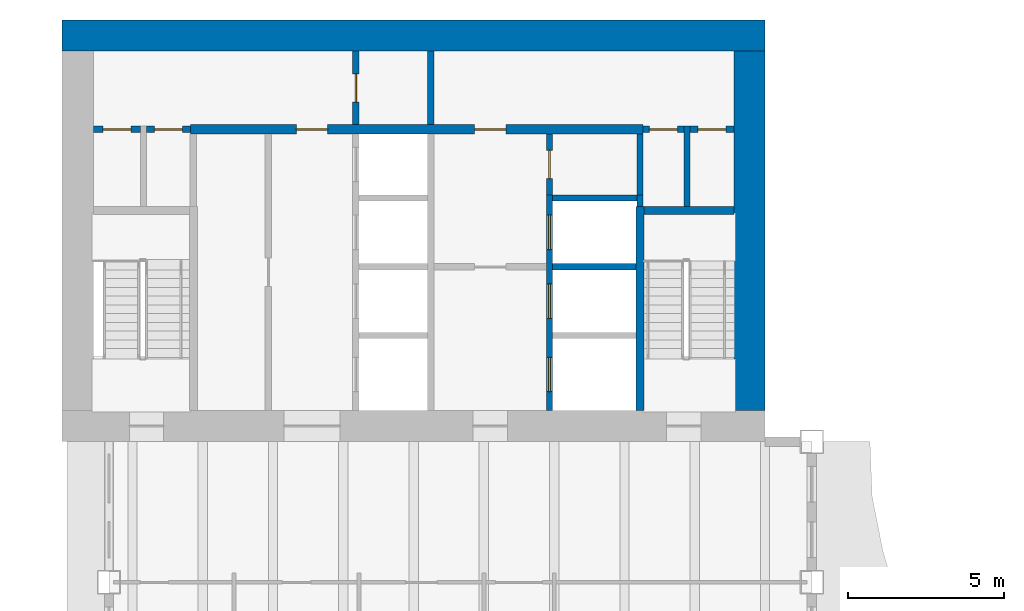
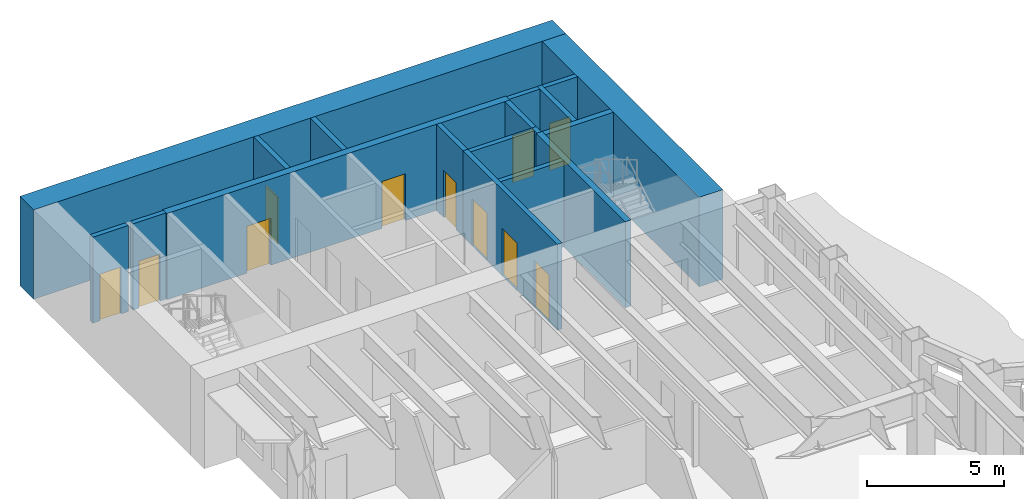
# One storey, part 9 of 16: 18 walls, 11 doors, 11 openings.
"""IFC4 building model written with IfcOpenShell, lengths in metres."""

from ifc_helpers import new_model, si_unit, direction, frame, frame_2d, origin, place, context, subcontext, project, spatial, rectangle, extrude, material, layer, layer_set, type_object, element, fill, save


model = new_model("IFC4")

# Units and contexts
model_context = context("Model", 3, precision=1e-05, world=origin(), true_north=direction((0.0, 1.0)))
body_context = subcontext(model_context, "Body", "Model", "MODEL_VIEW")
ifc_project = project(units=[si_unit("LENGTHUNIT", "METRE"), si_unit("AREAUNIT", "SQUARE_METRE"), si_unit("VOLUMEUNIT", "CUBIC_METRE"), si_unit("PLANEANGLEUNIT", "RADIAN"), si_unit("MASSUNIT", "GRAM", prefix="KILO")], contexts=[model_context])

# Site, building, storey
site_placement = place(None, origin())
site = spatial("IfcSite", under=ifc_project, at=site_placement, CompositionType="ELEMENT")
building_placement = place(site_placement, origin())
building = spatial("IfcBuilding", under=site, at=building_placement, Name="Sennacour Bend Tower", CompositionType="ELEMENT")
storey_placement = place(building_placement, frame((0.0, 0.0, 231.0)))
storey = spatial("IfcBuildingStorey", under=building, at=storey_placement, Name="L53", CompositionType="ELEMENT", Elevation=231.0)

# Walls
ifc_material_1 = material(Name="Concrete C60/75", Category="concrete")
ifc_layer_1 = layer(ifc_material_1, 1.0, Name="Concrete C60/75", Category="concrete")
ifc_layer_set_1 = layer_set([ifc_layer_1], Name="Concrete C60/75")
wall_type_1 = type_object("IfcWallType", Name="Core wall 1000 C60/75", PredefinedType="SHEAR", material=ifc_layer_set_1)
wall_1_placement = place(storey_placement, frame((0.0, 49.0, -0.14990234375), z_axis=(0.0, 0.0, 1.0), x_axis=(1.0, 0.0, 0.0)))
element("IfcWall", 1, at=wall_1_placement, inside=storey, type_object=wall_type_1, Name="Core B wall L53 N", PredefinedType="SHEAR", context=body_context, shape_type="SweptSolid", body=[
    extrude(rectangle(XDim=22.5, YDim=1.0, at=frame_2d((11.25, 0.0))), origin(), (0.0, 0.0, 1.0), 4.0),
])
wall_2_placement = place(storey_placement, frame((22.0, 37.0, -0.14990234375), z_axis=(0.0, 0.0, 1.0), x_axis=(0.0, 1.0, 0.0)))
element("IfcWall", 2, at=wall_2_placement, inside=storey, type_object=wall_type_1, Name="Core B wall L53 E", PredefinedType="SHEAR", context=body_context, shape_type="SweptSolid", body=[
    extrude(rectangle(XDim=11.5, YDim=1.0, at=frame_2d((5.75, 0.0))), origin(), (0.0, 0.0, 1.0), 4.0),
])

# Wall, opening, door
ifc_material_2 = material(Name="Fire-rated plasterboard partition on steel studs", Category="steel")
ifc_layer_2 = layer(ifc_material_2, 0.199951171875, Name="Fire-rated plasterboard partition on steel studs", Category="steel")
ifc_layer_set_2 = layer_set([ifc_layer_2], Name="Fire-rated plasterboard partition on steel studs")
wall_type_2 = type_object("IfcWallType", Name="Rated partition 200", PredefinedType="PARTITIONING", material=ifc_layer_set_2)
wall_3_placement = place(storey_placement, frame((9.39990234375, 46.14990234375, 0.0), z_axis=(0.0, 0.0, 1.0), x_axis=(0.0, 1.0, 0.0)))
wall_3 = element("IfcWall", 3, at=wall_3_placement, inside=storey, type_object=wall_type_2, Name="P-L53-W011", PredefinedType="PARTITIONING", context=body_context, shape_type="SweptSolid", body=[
    extrude(rectangle(XDim=2.35009765625, YDim=0.199951171875, at=frame_2d((1.175048828125, 0.0))), origin(), (0.0, 0.0, 1.0), 3.85009765625),
])
opening_1_placement = place(wall_3_placement, frame((0.72509765625, 0.0, 0.0)))
opening_1 = element("IfcOpeningElement", 4, at=opening_1_placement, cuts=wall_3, Name="Opening SV", PredefinedType="OPENING", context=body_context, shape_type="SweptSolid", body=[
    extrude(rectangle(XDim=0.89990234375, YDim=2.10009765625, at=frame_2d((0.449951171875, 1.050048828125))), frame((0.0, 0.10986328125, 0.0), z_axis=(0.0, -1.0, 0.0), x_axis=(1.0, 0.0, 0.0)), (0.0, 0.0, 1.0), 0.219970703125),
])
ifc_material_3 = material(Name="Painted steel", Category="steel")
door_type_1 = type_object("IfcDoorType", Name="DR-SERVICE-900", OperationType="NOTDEFINED", PredefinedType="DOOR", material=ifc_material_3)
door_1_placement = place(opening_1_placement, origin())
door_1 = element("IfcDoor", 5, at=door_1_placement, inside=storey, type_object=door_type_1, Name="Door", OperationType="SINGLE_SWING_RIGHT", OverallHeight=2.10009765625, OverallWidth=0.89990234375, PredefinedType="DOOR", context=body_context, shape_type="SweptSolid", body=[
    extrude(rectangle(XDim=0.89990234375, YDim=2.10009765625, at=frame_2d((0.449951171875, 1.050048828125))), frame((0.0, 0.02490234375, 0.0), z_axis=(0.0, -1.0, 0.0), x_axis=(1.0, 0.0, 0.0)), (0.0, 0.0, 1.0), 0.050048828125),
])
fill(opening_1, door_1)

# Wall
wall_4_placement = place(storey_placement, frame((11.800048828125, 46.14990234375, 0.0), z_axis=(0.0, 0.0, 1.0), x_axis=(0.0, 1.0, 0.0)))
element("IfcWall", 6, at=wall_4_placement, inside=storey, type_object=wall_type_2, Name="P-L53-W014", PredefinedType="PARTITIONING", context=body_context, shape_type="SweptSolid", body=[
    extrude(rectangle(XDim=2.35009765625, YDim=0.199951171875, at=frame_2d((1.175048828125, 0.0))), origin(), (0.0, 0.0, 1.0), 3.85009765625),
])

# Wall, opening, door
wall_5_placement = place(storey_placement, frame((15.60009765625, 43.89990234375, 0.0), z_axis=(0.0, 0.0, 1.0), x_axis=(0.0, 1.0, 0.0)))
wall_5 = element("IfcWall", 7, at=wall_5_placement, inside=storey, type_object=wall_type_2, Name="P-L53-W018", PredefinedType="PARTITIONING", context=body_context, shape_type="SweptSolid", body=[
    extrude(rectangle(XDim=1.9501953125, YDim=0.199951171875, at=frame_2d((0.97509765625, 0.0))), origin(), (0.0, 0.0, 1.0), 3.85009765625),
])
opening_2_placement = place(wall_5_placement, frame((0.525146484375, 0.0, 0.0)))
opening_2 = element("IfcOpeningElement", 8, at=opening_2_placement, cuts=wall_5, Name="Opening SV", PredefinedType="OPENING", context=body_context, shape_type="SweptSolid", body=[
    extrude(rectangle(XDim=0.89990234375, YDim=2.10009765625, at=frame_2d((0.449951171875, 1.050048828125))), frame((0.0, 0.10986328125, 0.0), z_axis=(0.0, -1.0, 0.0), x_axis=(1.0, 0.0, 0.0)), (0.0, 0.0, 1.0), 0.219970703125),
])
door_2_placement = place(opening_2_placement, origin())
door_2 = element("IfcDoor", 9, at=door_2_placement, inside=storey, type_object=door_type_1, Name="Door", OperationType="SINGLE_SWING_RIGHT", OverallHeight=2.10009765625, OverallWidth=0.89990234375, PredefinedType="DOOR", context=body_context, shape_type="SweptSolid", body=[
    extrude(rectangle(XDim=0.89990234375, YDim=2.10009765625, at=frame_2d((0.449951171875, 1.050048828125))), frame((0.0, 0.02490234375, 0.0), z_axis=(0.0, -1.0, 0.0), x_axis=(1.0, 0.0, 0.0)), (0.0, 0.0, 1.0), 0.050048828125),
])
fill(opening_2, door_2)

# Walls
wall_6_placement = place(storey_placement, frame((18.5, 43.89990234375, 0.0), z_axis=(0.0, 0.0, 1.0), x_axis=(0.0, 1.0, 0.0)))
element("IfcWall", 10, at=wall_6_placement, inside=storey, type_object=wall_type_2, Name="P-L53-W023", PredefinedType="PARTITIONING", context=body_context, shape_type="SweptSolid", body=[
    extrude(rectangle(XDim=1.9501953125, YDim=0.199951171875, at=frame_2d((0.97509765625, 0.0))), origin(), (0.0, 0.0, 1.0), 3.85009765625),
])
wall_7_placement = place(storey_placement, frame((20.0, 43.52490234375, 0.0), z_axis=(0.0, 0.0, 1.0), x_axis=(0.0, 1.0, 0.0)))
element("IfcWall", 11, at=wall_7_placement, inside=storey, type_object=wall_type_2, Name="P-L53-W024", PredefinedType="PARTITIONING", context=body_context, shape_type="SweptSolid", body=[
    extrude(rectangle(XDim=2.5751953125, YDim=0.199951171875, at=frame_2d((1.28759765625, 0.0))), origin(), (0.0, 0.0, 1.0), 3.85009765625),
])

# Wall, opening, door
wall_8_placement = place(storey_placement, frame((1.0, 46.0, 0.0), z_axis=(0.0, 0.0, 1.0), x_axis=(1.0, 0.0, 0.0)))
wall_8 = element("IfcWall", 12, at=wall_8_placement, inside=storey, type_object=wall_type_2, Name="P-L53-W093a", PredefinedType="PARTITIONING", context=body_context, shape_type="SweptSolid", body=[
    extrude(rectangle(XDim=1.5, YDim=0.199951171875, at=frame_2d((0.75, 0.0))), origin(), (0.0, 0.0, 1.0), 3.85009765625),
])
opening_3_placement = place(wall_8_placement, frame((0.300048828125, 0.0, 0.0)))
opening_3 = element("IfcOpeningElement", 13, at=opening_3_placement, cuts=wall_8, Name="Opening SV", PredefinedType="OPENING", context=body_context, shape_type="SweptSolid", body=[
    extrude(rectangle(XDim=0.89990234375, YDim=2.10009765625, at=frame_2d((0.449951171875, 1.050048828125))), frame((0.0, 0.10986328125, 0.0), z_axis=(0.0, -1.0, 0.0), x_axis=(1.0, 0.0, 0.0)), (0.0, 0.0, 1.0), 0.219970703125),
])
door_3_placement = place(opening_3_placement, origin())
door_3 = element("IfcDoor", 14, at=door_3_placement, inside=storey, type_object=door_type_1, Name="Door", OperationType="SINGLE_SWING_LEFT", OverallHeight=2.10009765625, OverallWidth=0.89990234375, PredefinedType="DOOR", context=body_context, shape_type="SweptSolid", body=[
    extrude(rectangle(XDim=0.89990234375, YDim=2.10009765625, at=frame_2d((0.449951171875, 1.050048828125))), frame((0.0, 0.02490234375, 0.0), z_axis=(0.0, -1.0, 0.0), x_axis=(1.0, 0.0, 0.0)), (0.0, 0.0, 1.0), 0.050048828125),
])
fill(opening_3, door_3)

wall_9_placement = place(storey_placement, frame((2.699951171875, 46.0, 0.0), z_axis=(0.0, 0.0, 1.0), x_axis=(1.0, 0.0, 0.0)))
wall_9 = element("IfcWall", 15, at=wall_9_placement, inside=storey, type_object=wall_type_2, Name="P-L53-W093b", PredefinedType="PARTITIONING", context=body_context, shape_type="SweptSolid", body=[
    extrude(rectangle(XDim=1.400146484375, YDim=0.199951171875, at=frame_2d((0.7001953125, 0.0))), origin(), (0.0, 0.0, 1.0), 3.85009765625),
])
opening_4_placement = place(wall_9_placement, frame((0.25, 0.0, 0.0)))
opening_4 = element("IfcOpeningElement", 16, at=opening_4_placement, cuts=wall_9, Name="Opening WD", PredefinedType="OPENING", context=body_context, shape_type="SweptSolid", body=[
    extrude(rectangle(XDim=0.89990234375, YDim=2.10009765625, at=frame_2d((0.449951171875, 1.050048828125))), frame((0.0, 0.10986328125, 0.0), z_axis=(0.0, -1.0, 0.0), x_axis=(1.0, 0.0, 0.0)), (0.0, 0.0, 1.0), 0.219970703125),
])
ifc_material_4 = material(Name="Timber", Category="wood")
door_type_2 = type_object("IfcDoorType", Name="DR-WC-900", OperationType="NOTDEFINED", PredefinedType="DOOR", material=ifc_material_4)
door_4_placement = place(opening_4_placement, origin())
door_4 = element("IfcDoor", 17, at=door_4_placement, inside=storey, type_object=door_type_2, Name="Door", OperationType="SINGLE_SWING_LEFT", OverallHeight=2.10009765625, OverallWidth=0.89990234375, PredefinedType="DOOR", context=body_context, shape_type="SweptSolid", body=[
    extrude(rectangle(XDim=0.89990234375, YDim=2.10009765625, at=frame_2d((0.449951171875, 1.050048828125))), frame((0.0, 0.02490234375, 0.0), z_axis=(0.0, -1.0, 0.0), x_axis=(1.0, 0.0, 0.0)), (0.0, 0.0, 1.0), 0.050048828125),
])
fill(opening_4, door_4)

wall_10_placement = place(storey_placement, frame((18.60009765625, 46.0, 0.0), z_axis=(0.0, 0.0, 1.0), x_axis=(1.0, 0.0, 0.0)))
wall_10 = element("IfcWall", 18, at=wall_10_placement, inside=storey, type_object=wall_type_2, Name="P-L53-W095a", PredefinedType="PARTITIONING", context=body_context, shape_type="SweptSolid", body=[
    extrude(rectangle(XDim=1.2998046875, YDim=0.199951171875, at=frame_2d((0.64990234375, 0.0))), origin(), (0.0, 0.0, 1.0), 3.85009765625),
])
opening_5_placement = place(wall_10_placement, frame((0.199951171875, 0.0, 0.0)))
opening_5 = element("IfcOpeningElement", 19, at=opening_5_placement, cuts=wall_10, Name="Opening SV", PredefinedType="OPENING", context=body_context, shape_type="SweptSolid", body=[
    extrude(rectangle(XDim=0.89990234375, YDim=2.10009765625, at=frame_2d((0.449951171875, 1.050048828125))), frame((0.0, 0.10986328125, 0.0), z_axis=(0.0, -1.0, 0.0), x_axis=(1.0, 0.0, 0.0)), (0.0, 0.0, 1.0), 0.219970703125),
])
door_5_placement = place(opening_5_placement, origin())
door_5 = element("IfcDoor", 20, at=door_5_placement, inside=storey, type_object=door_type_1, Name="Door", OperationType="SINGLE_SWING_LEFT", OverallHeight=2.10009765625, OverallWidth=0.89990234375, PredefinedType="DOOR", context=body_context, shape_type="SweptSolid", body=[
    extrude(rectangle(XDim=0.89990234375, YDim=2.10009765625, at=frame_2d((0.449951171875, 1.050048828125))), frame((0.0, 0.02490234375, 0.0), z_axis=(0.0, -1.0, 0.0), x_axis=(1.0, 0.0, 0.0)), (0.0, 0.0, 1.0), 0.050048828125),
])
fill(opening_5, door_5)

wall_11_placement = place(storey_placement, frame((20.10009765625, 46.0, 0.0), z_axis=(0.0, 0.0, 1.0), x_axis=(1.0, 0.0, 0.0)))
wall_11 = element("IfcWall", 21, at=wall_11_placement, inside=storey, type_object=wall_type_2, Name="P-L53-W095b", PredefinedType="PARTITIONING", context=body_context, shape_type="SweptSolid", body=[
    extrude(rectangle(XDim=1.39990234375, YDim=0.199951171875, at=frame_2d((0.699951171875, 0.0))), origin(), (0.0, 0.0, 1.0), 3.85009765625),
])
opening_6_placement = place(wall_11_placement, frame((0.25, 0.0, 0.0)))
opening_6 = element("IfcOpeningElement", 22, at=opening_6_placement, cuts=wall_11, Name="Opening SV", PredefinedType="OPENING", context=body_context, shape_type="SweptSolid", body=[
    extrude(rectangle(XDim=0.89990234375, YDim=2.10009765625, at=frame_2d((0.449951171875, 1.050048828125))), frame((0.0, 0.10986328125, 0.0), z_axis=(0.0, -1.0, 0.0), x_axis=(1.0, 0.0, 0.0)), (0.0, 0.0, 1.0), 0.219970703125),
])
door_6_placement = place(opening_6_placement, origin())
door_6 = element("IfcDoor", 23, at=door_6_placement, inside=storey, type_object=door_type_1, Name="Door", OperationType="SINGLE_SWING_LEFT", OverallHeight=2.10009765625, OverallWidth=0.89990234375, PredefinedType="DOOR", context=body_context, shape_type="SweptSolid", body=[
    extrude(rectangle(XDim=0.89990234375, YDim=2.10009765625, at=frame_2d((0.449951171875, 1.050048828125))), frame((0.0, 0.02490234375, 0.0), z_axis=(0.0, -1.0, 0.0), x_axis=(1.0, 0.0, 0.0)), (0.0, 0.0, 1.0), 0.050048828125),
])
fill(opening_6, door_6)

# Wall, openings, doors
ifc_material_5 = material(Name="Concrete C50/60", Category="concrete")
ifc_layer_3 = layer(ifc_material_5, 0.199951171875, Name="Concrete C50/60", Category="concrete")
ifc_layer_set_3 = layer_set([ifc_layer_3], Name="Concrete C50/60")
wall_type_3 = type_object("IfcWallType", Name="Shaft wall 200", PredefinedType="SOLIDWALL", material=ifc_layer_set_3)
wall_12_placement = place(storey_placement, frame((15.60009765625, 37.0, 0.0), z_axis=(0.0, 0.0, 1.0), x_axis=(0.0, 1.0, 0.0)))
wall_12 = element("IfcWall", 24, at=wall_12_placement, inside=storey, type_object=wall_type_3, Name="P-L53-W017", PredefinedType="SOLIDWALL", context=body_context, shape_type="SweptSolid", body=[
    extrude(rectangle(XDim=6.89990234375, YDim=0.199951171875, at=frame_2d((3.449951171875, 0.0))), origin(), (0.0, 0.0, 1.0), 3.85009765625),
])
opening_7_placement = place(wall_12_placement, frame((0.60009765625, 0.0, 0.011962890625)))
opening_7 = element("IfcOpeningElement", 25, at=opening_7_placement, cuts=wall_12, Name="Opening FLD", PredefinedType="OPENING", context=body_context, shape_type="SweptSolid", body=[
    extrude(rectangle(XDim=1.10009765625, YDim=2.10009765625, at=frame_2d((0.550048828125, 1.050048828125))), frame((0.0, 0.10986328125, 0.0), z_axis=(0.0, -1.0, 0.0), x_axis=(1.0, 0.0, 0.0)), (0.0, 0.0, 1.0), 0.219970703125),
])
opening_8_placement = place(wall_12_placement, frame((2.949951171875, 0.0, 0.011962890625)))
opening_8 = element("IfcOpeningElement", 26, at=opening_8_placement, cuts=wall_12, Name="Opening FLD", PredefinedType="OPENING", context=body_context, shape_type="SweptSolid", body=[
    extrude(rectangle(XDim=1.10009765625, YDim=2.10009765625, at=frame_2d((0.550048828125, 1.050048828125))), frame((0.0, 0.10986328125, 0.0), z_axis=(0.0, -1.0, 0.0), x_axis=(1.0, 0.0, 0.0)), (0.0, 0.0, 1.0), 0.219970703125),
])
opening_9_placement = place(wall_12_placement, frame((5.14990234375, 0.0, 0.011962890625)))
opening_9 = element("IfcOpeningElement", 27, at=opening_9_placement, cuts=wall_12, Name="Opening LD", PredefinedType="OPENING", context=body_context, shape_type="SweptSolid", body=[
    extrude(rectangle(XDim=1.10009765625, YDim=2.10009765625, at=frame_2d((0.550048828125, 1.050048828125))), frame((0.0, 0.10986328125, 0.0), z_axis=(0.0, -1.0, 0.0), x_axis=(1.0, 0.0, 0.0)), (0.0, 0.0, 1.0), 0.219970703125),
])
ifc_material_6 = material(Name="Stainless steel", Category="steel")
door_type_3 = type_object("IfcDoorType", Name="DR-FF-LANDING-1100", OperationType="NOTDEFINED", PredefinedType="DOOR", material=ifc_material_6)
door_7_placement = place(opening_7_placement, origin())
door_7 = element("IfcDoor", 28, at=door_7_placement, inside=storey, type_object=door_type_3, Name="Fire service lift landing door FB1", OperationType="SLIDING_TO_RIGHT", OverallHeight=2.10009765625, OverallWidth=1.10009765625, PredefinedType="DOOR", context=body_context, shape_type="SweptSolid", body=[
    extrude(rectangle(XDim=1.10009765625, YDim=2.10009765625, at=frame_2d((0.550048828125, 1.050048828125))), frame((0.0, 0.02490234375, 0.0), z_axis=(0.0, -1.0, 0.0), x_axis=(1.0, 0.0, 0.0)), (0.0, 0.0, 1.0), 0.050048828125),
])
fill(opening_7, door_7)
door_8_placement = place(opening_8_placement, origin())
door_8 = element("IfcDoor", 29, at=door_8_placement, inside=storey, type_object=door_type_3, Name="Fire service lift landing door FB2", OperationType="SLIDING_TO_LEFT", OverallHeight=2.10009765625, OverallWidth=1.10009765625, PredefinedType="DOOR", context=body_context, shape_type="SweptSolid", body=[
    extrude(rectangle(XDim=1.10009765625, YDim=2.10009765625, at=frame_2d((0.550048828125, 1.050048828125))), frame((0.0, 0.02490234375, 0.0), z_axis=(0.0, -1.0, 0.0), x_axis=(1.0, 0.0, 0.0)), (0.0, 0.0, 1.0), 0.050048828125),
])
fill(opening_8, door_8)
door_type_4 = type_object("IfcDoorType", Name="DR-LANDING-1100", OperationType="NOTDEFINED", PredefinedType="DOOR", material=ifc_material_6)
door_9_placement = place(opening_9_placement, origin())
door_9 = element("IfcDoor", 30, at=door_9_placement, inside=storey, type_object=door_type_4, Name="Lift landing door MB5", OperationType="SLIDING_TO_RIGHT", OverallHeight=2.10009765625, OverallWidth=1.10009765625, PredefinedType="DOOR", context=body_context, shape_type="SweptSolid", body=[
    extrude(rectangle(XDim=1.10009765625, YDim=2.10009765625, at=frame_2d((0.550048828125, 1.050048828125))), frame((0.0, 0.02490234375, 0.0), z_axis=(0.0, -1.0, 0.0), x_axis=(1.0, 0.0, 0.0)), (0.0, 0.0, 1.0), 0.050048828125),
])
fill(opening_9, door_9)

# Walls
wall_13_placement = place(storey_placement, frame((18.5, 43.52490234375, 0.0), z_axis=(0.0, 0.0, 1.0), x_axis=(0.0, 1.0, 0.0)))
element("IfcWall", 31, at=wall_13_placement, inside=storey, type_object=wall_type_3, Name="P-L53-W022", PredefinedType="SOLIDWALL", context=body_context, shape_type="SweptSolid", body=[
    extrude(rectangle(XDim=0.375, YDim=0.199951171875, at=frame_2d((0.1875, 0.0))), origin(), (0.0, 0.0, 1.0), 3.85009765625),
])
wall_14_placement = place(storey_placement, frame((15.699951171875, 41.60009765625, 0.0), z_axis=(0.0, 0.0, 1.0), x_axis=(1.0, 0.0, 0.0)))
element("IfcWall", 32, at=wall_14_placement, inside=storey, type_object=wall_type_3, Name="P-L53-W088", PredefinedType="SOLIDWALL", context=body_context, shape_type="SweptSolid", body=[
    extrude(rectangle(XDim=2.675048828125, YDim=0.199951171875, at=frame_2d((1.33740234375, 0.0))), origin(), (0.0, 0.0, 1.0), 3.85009765625),
])
wall_15_placement = place(storey_placement, frame((15.699951171875, 43.800048828125, 0.0), z_axis=(0.0, 0.0, 1.0), x_axis=(1.0, 0.0, 0.0)))
element("IfcWall", 33, at=wall_15_placement, inside=storey, type_object=wall_type_3, Name="P-L53-W092", PredefinedType="SOLIDWALL", context=body_context, shape_type="SweptSolid", body=[
    extrude(rectangle(XDim=2.699951171875, YDim=0.199951171875, at=frame_2d((1.35009765625, 0.0))), origin(), (0.0, 0.0, 1.0), 3.85009765625),
])

# Wall, openings, doors
ifc_layer_4 = layer(ifc_material_1, 0.300048828125, Name="Concrete C60/75", Category="concrete")
ifc_layer_set_4 = layer_set([ifc_layer_4], Name="Concrete C60/75")
wall_type_4 = type_object("IfcWallType", Name="Spine wall 300", PredefinedType="SHEAR", material=ifc_layer_set_4)
wall_16_placement = place(storey_placement, frame((4.10009765625, 46.0, 0.0), z_axis=(0.0, 0.0, 1.0), x_axis=(1.0, 0.0, 0.0)))
wall_16 = element("IfcWall", 34, at=wall_16_placement, inside=storey, type_object=wall_type_4, Name="P-L53-W094", PredefinedType="SHEAR", context=body_context, shape_type="SweptSolid", body=[
    extrude(rectangle(XDim=14.5, YDim=0.300048828125, at=frame_2d((7.25, 0.0))), origin(), (0.0, 0.0, 1.0), 3.85009765625),
])
opening_10_placement = place(wall_16_placement, frame((3.39990234375, 0.0, 0.0)))
opening_10 = element("IfcOpeningElement", 35, at=opening_10_placement, cuts=wall_16, Name="Opening CD2", PredefinedType="OPENING", context=body_context, shape_type="SweptSolid", body=[
    extrude(rectangle(XDim=1.0, YDim=2.10009765625, at=frame_2d((0.5, 1.050048828125))), frame((0.0, 0.16015625, 0.0), z_axis=(0.0, -1.0, 0.0), x_axis=(1.0, 0.0, 0.0)), (0.0, 0.0, 1.0), 0.320068359375),
])
opening_11_placement = place(wall_16_placement, frame((9.099853515625, 0.0, 0.0)))
opening_11 = element("IfcOpeningElement", 36, at=opening_11_placement, cuts=wall_16, Name="Opening CD2", PredefinedType="OPENING", context=body_context, shape_type="SweptSolid", body=[
    extrude(rectangle(XDim=1.0, YDim=2.10009765625, at=frame_2d((0.5, 1.050048828125))), frame((0.0, 0.16015625, 0.0), z_axis=(0.0, -1.0, 0.0), x_axis=(1.0, 0.0, 0.0)), (0.0, 0.0, 1.0), 0.320068359375),
])
door_type_5 = type_object("IfcDoorType", Name="DR-LOBBY-1000", OperationType="NOTDEFINED", PredefinedType="DOOR", material=ifc_material_3)
door_10_placement = place(opening_10_placement, origin())
door_10 = element("IfcDoor", 37, at=door_10_placement, inside=storey, type_object=door_type_5, Name="Door", OperationType="SINGLE_SWING_LEFT", OverallHeight=2.10009765625, OverallWidth=1.0, PredefinedType="DOOR", context=body_context, shape_type="SweptSolid", body=[
    extrude(rectangle(XDim=1.0, YDim=2.10009765625, at=frame_2d((0.5, 1.050048828125))), frame((0.0, 0.02490234375, 0.0), z_axis=(0.0, -1.0, 0.0), x_axis=(1.0, 0.0, 0.0)), (0.0, 0.0, 1.0), 0.050048828125),
])
fill(opening_10, door_10)
door_11_placement = place(opening_11_placement, origin())
door_11 = element("IfcDoor", 38, at=door_11_placement, inside=storey, type_object=door_type_5, Name="Door", OperationType="SINGLE_SWING_RIGHT", OverallHeight=2.10009765625, OverallWidth=1.0, PredefinedType="DOOR", context=body_context, shape_type="SweptSolid", body=[
    extrude(rectangle(XDim=1.0, YDim=2.10009765625, at=frame_2d((0.5, 1.050048828125))), frame((0.0, 0.02490234375, 0.0), z_axis=(0.0, -1.0, 0.0), x_axis=(1.0, 0.0, 0.0)), (0.0, 0.0, 1.0), 0.050048828125),
])
fill(opening_11, door_11)

# Walls
ifc_layer_5 = layer(ifc_material_1, 0.25, Name="Concrete C60/75", Category="concrete")
ifc_layer_set_5 = layer_set([ifc_layer_5], Name="Concrete C60/75")
wall_type_5 = type_object("IfcWallType", Name="Stair wall 250", PredefinedType="SHEAR", material=ifc_layer_set_5)
wall_17_placement = place(storey_placement, frame((18.5, 37.0, 0.0), z_axis=(0.0, 0.0, 1.0), x_axis=(0.0, 1.0, 0.0)))
element("IfcWall", 39, at=wall_17_placement, inside=storey, type_object=wall_type_5, Name="P-L53-W021", PredefinedType="SHEAR", context=body_context, shape_type="SweptSolid", body=[
    extrude(rectangle(XDim=6.52490234375, YDim=0.25, at=frame_2d((3.262451171875, 0.0))), origin(), (0.0, 0.0, 1.0), 3.85009765625),
])
wall_18_placement = place(storey_placement, frame((18.625, 43.39990234375, 0.0), z_axis=(0.0, 0.0, 1.0), x_axis=(1.0, 0.0, 0.0)))
element("IfcWall", 40, at=wall_18_placement, inside=storey, type_object=wall_type_5, Name="P-L53-W090", PredefinedType="SHEAR", context=body_context, shape_type="SweptSolid", body=[
    extrude(rectangle(XDim=2.875, YDim=0.25, at=frame_2d((1.4375, 0.0))), origin(), (0.0, 0.0, 1.0), 3.85009765625),
])

save(model, "model.ifc")
